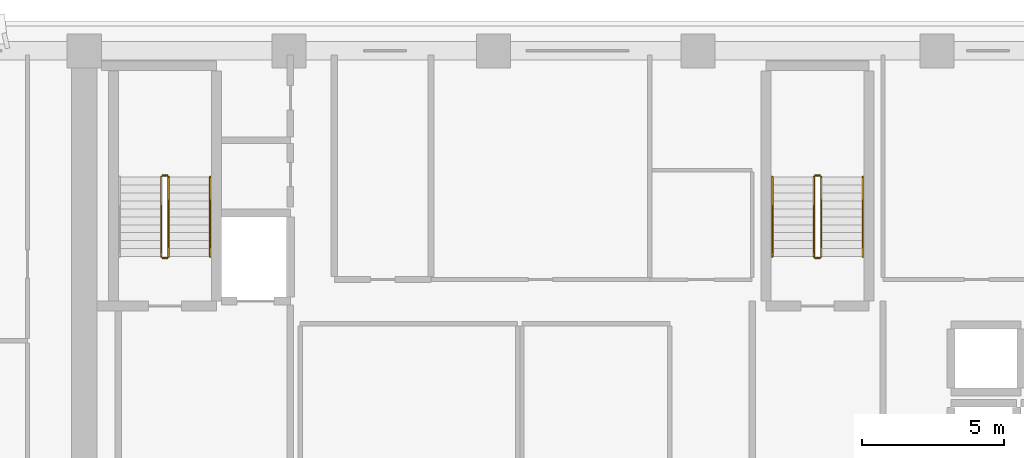
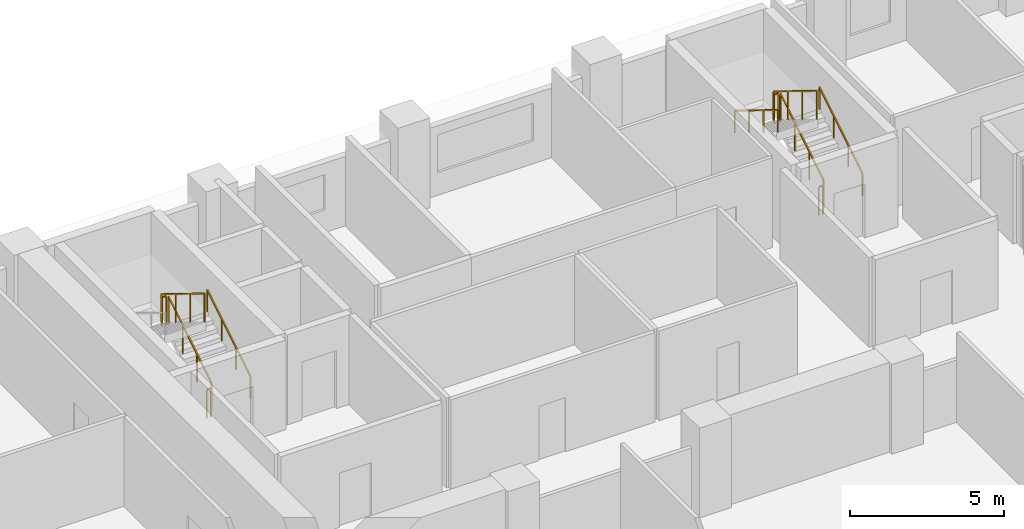
# One storey, part 13 of 15: 11 railings.
"""IFC4 building model written with IfcOpenShell, lengths in metres."""

from ifc_helpers import new_model, si_unit, direction, frame, origin, origin_2d, place, context, subcontext, project, spatial, rectangle, extrude, material, type_object, element, save


model = new_model("IFC4")

# Units and contexts
model_context = context("Model", 3, precision=1e-05, world=origin(), true_north=direction((0.0, 1.0)))
body_context = subcontext(model_context, "Body", "Model", "MODEL_VIEW")
ifc_project = project(units=[si_unit("LENGTHUNIT", "METRE"), si_unit("AREAUNIT", "SQUARE_METRE"), si_unit("VOLUMEUNIT", "CUBIC_METRE"), si_unit("PLANEANGLEUNIT", "RADIAN"), si_unit("MASSUNIT", "GRAM", prefix="KILO")], contexts=[model_context])

# Site, building, storey
site_placement = place(None, origin())
site = spatial("IfcSite", under=ifc_project, at=site_placement, CompositionType="ELEMENT")
building_placement = place(site_placement, origin())
building = spatial("IfcBuilding", under=site, at=building_placement, Name="Kaelvorn Grand Hotel", CompositionType="ELEMENT")
storey_placement = place(building_placement, frame((0.0, 0.0, 139.14990234375)))
storey = spatial("IfcBuildingStorey", under=building, at=storey_placement, Name="L33", CompositionType="ELEMENT", Elevation=139.14990234375)

# Railings
ifc_material = material(Name="Stainless Steel", Category="steel")
railing_type_1 = type_object("IfcRailingType", Name="RL-HANDRAIL-900", PredefinedType="HANDRAIL", material=ifc_material)
for number, where, name in (
    (1, (20.6298828125, 41.760009765625, 0.1728515625), "L33 ST1 stair handrail 1"),
    (2, (43.590087890625, 41.760009765625, 0.1728515625), "L33 ST2 stair handrail 1"),
):
    element("IfcRailing", number, at=place(storey_placement, frame(where)), inside=storey, type_object=railing_type_1, Name=name, PredefinedType="HANDRAIL", context=body_context, shape_type="SweptSolid", body=[
        extrude(rectangle(XDim=0.048095703125, YDim=0.048095703125, at=origin_2d()), frame((0.0, 0.0, 0.8759765625), z_axis=(0.0, 0.851089632645, 0.525020415988), x_axis=(-1.0, 0.0, 0.0)), (0.0, 0.0, 1.0), 3.2900390625),
        extrude(rectangle(XDim=0.0419921875, YDim=0.0419921875, at=origin_2d()), origin(), (0.0, 0.0, 1.0), 0.851806640625),
        extrude(rectangle(XDim=0.0419921875, YDim=0.0419921875, at=origin_2d()), frame((0.0, 0.933349609375, 0.57568359375)), (0.0, 0.0, 1.0), 0.851806640625),
        extrude(rectangle(XDim=0.0419921875, YDim=0.0419921875, at=origin_2d()), frame((0.0, 1.86669921875, 1.151611328125)), (0.0, 0.0, 1.0), 0.851806640625),
        extrude(rectangle(XDim=0.0419921875, YDim=0.0419921875, at=origin_2d()), frame((0.0, 2.800048828125, 1.727294921875)), (0.0, 0.0, 1.0), 0.851806640625),
    ])
railing_1_placement = place(storey_placement, frame((40.409912109375, 44.56005859375, 2.07275390625)))
element("IfcRailing", 3, at=railing_1_placement, inside=storey, type_object=railing_type_1, Name="L33 ST2 stair handrail 2", PredefinedType="HANDRAIL", context=body_context, shape_type="SweptSolid", body=[
    extrude(rectangle(XDim=0.048095703125, YDim=0.048095703125, at=origin_2d()), frame((0.0, 0.0, 0.8759765625), z_axis=(0.0, -0.851089632645, 0.525020415988), x_axis=(1.0, 0.0, 0.0)), (0.0, 0.0, 1.0), 3.2900390625),
    extrude(rectangle(XDim=0.0419921875, YDim=0.0419921875, at=origin_2d()), origin(), (0.0, 0.0, 1.0), 0.851806640625),
    extrude(rectangle(XDim=0.0419921875, YDim=0.0419921875, at=origin_2d()), frame((0.0, -0.933349609375, 0.57568359375)), (0.0, 0.0, 1.0), 0.851806640625),
    extrude(rectangle(XDim=0.0419921875, YDim=0.0419921875, at=origin_2d()), frame((0.0, -1.86669921875, 1.151611328125)), (0.0, 0.0, 1.0), 0.851806640625),
    extrude(rectangle(XDim=0.0419921875, YDim=0.0419921875, at=origin_2d()), frame((0.0, -2.800048828125, 1.727294921875)), (0.0, 0.0, 1.0), 0.851806640625),
])
railing_type_2 = type_object("IfcRailingType", Name="RL-STAIR-GUARD-1150", PredefinedType="BALUSTRADE", material=ifc_material)
railing_2_placement = place(storey_placement, frame((19.169921875, 41.760009765625, 0.1728515625)))
element("IfcRailing", 4, at=railing_2_placement, inside=storey, type_object=railing_type_2, Name="L33 ST1 stair guard 1", PredefinedType="BALUSTRADE", context=body_context, shape_type="SweptSolid", body=[
    extrude(rectangle(XDim=0.048095703125, YDim=0.048095703125, at=origin_2d()), frame((0.0, 0.0, 1.1259765625), z_axis=(0.0, 0.851089632645, 0.525020415988), x_axis=(-1.0, 0.0, 0.0)), (0.0, 0.0, 1.0), 3.2900390625),
    extrude(rectangle(XDim=0.0419921875, YDim=0.0419921875, at=origin_2d()), origin(), (0.0, 0.0, 1.0), 1.101806640625),
    extrude(rectangle(XDim=0.0419921875, YDim=0.0419921875, at=origin_2d()), frame((0.0, 0.933349609375, 0.57568359375)), (0.0, 0.0, 1.0), 1.101806640625),
    extrude(rectangle(XDim=0.0419921875, YDim=0.0419921875, at=origin_2d()), frame((0.0, 1.86669921875, 1.151611328125)), (0.0, 0.0, 1.0), 1.101806640625),
    extrude(rectangle(XDim=0.0419921875, YDim=0.0419921875, at=origin_2d()), frame((0.0, 2.800048828125, 1.727294921875)), (0.0, 0.0, 1.0), 1.101806640625),
])
railing_3_placement = place(storey_placement, frame((19.1201171875, 44.610107421875, 1.900146484375)))
element("IfcRailing", 5, at=railing_3_placement, inside=storey, type_object=railing_type_2, Name="L33 ST1 stair guard 2", PredefinedType="BALUSTRADE", context=body_context, shape_type="SweptSolid", body=[
    extrude(rectangle(XDim=0.048095703125, YDim=0.048095703125, at=origin_2d()), frame((0.0, 0.0, 1.1259765625), z_axis=(-1.0, 0.0, 0.0), x_axis=(0.0, -1.0, 0.0)), (0.0, 0.0, 1.0), 0.16015625),
    extrude(rectangle(XDim=0.0419921875, YDim=0.0419921875, at=origin_2d()), origin(), (0.0, 0.0, 1.0), 1.101806640625),
    extrude(rectangle(XDim=0.0419921875, YDim=0.0419921875, at=origin_2d()), frame((-0.16015625, 0.0, 0.0)), (0.0, 0.0, 1.0), 1.101806640625),
])
railing_4_placement = place(storey_placement, frame((18.909912109375, 44.56005859375, 2.07275390625)))
element("IfcRailing", 6, at=railing_4_placement, inside=storey, type_object=railing_type_2, Name="L33 ST1 stair guard 3", PredefinedType="BALUSTRADE", context=body_context, shape_type="SweptSolid", body=[
    extrude(rectangle(XDim=0.048095703125, YDim=0.048095703125, at=origin_2d()), frame((0.0, 0.0, 1.1259765625), z_axis=(0.0, -0.851089632645, 0.525020415988), x_axis=(1.0, 0.0, 0.0)), (0.0, 0.0, 1.0), 3.2900390625),
    extrude(rectangle(XDim=0.0419921875, YDim=0.0419921875, at=origin_2d()), origin(), (0.0, 0.0, 1.0), 1.101806640625),
    extrude(rectangle(XDim=0.0419921875, YDim=0.0419921875, at=origin_2d()), frame((0.0, -0.933349609375, 0.57568359375)), (0.0, 0.0, 1.0), 1.101806640625),
    extrude(rectangle(XDim=0.0419921875, YDim=0.0419921875, at=origin_2d()), frame((0.0, -1.86669921875, 1.151611328125)), (0.0, 0.0, 1.0), 1.101806640625),
    extrude(rectangle(XDim=0.0419921875, YDim=0.0419921875, at=origin_2d()), frame((0.0, -2.800048828125, 1.727294921875)), (0.0, 0.0, 1.0), 1.101806640625),
])
railing_5_placement = place(storey_placement, frame((19.1201171875, 41.7099609375, 0.0)))
element("IfcRailing", 7, at=railing_5_placement, inside=storey, type_object=railing_type_2, Name="L33 ST1 stair guard 4", PredefinedType="BALUSTRADE", context=body_context, shape_type="SweptSolid", body=[
    extrude(rectangle(XDim=0.048095703125, YDim=0.048095703125, at=origin_2d()), frame((0.0, 0.0, 1.1259765625), z_axis=(-1.0, 0.0, 0.0), x_axis=(0.0, -1.0, 0.0)), (0.0, 0.0, 1.0), 0.16015625),
    extrude(rectangle(XDim=0.0419921875, YDim=0.0419921875, at=origin_2d()), origin(), (0.0, 0.0, 1.0), 1.101806640625),
    extrude(rectangle(XDim=0.0419921875, YDim=0.0419921875, at=origin_2d()), frame((-0.16015625, 0.0, 0.0)), (0.0, 0.0, 1.0), 1.101806640625),
])
railing_6_placement = place(storey_placement, frame((42.1298828125, 41.760009765625, 0.1728515625)))
element("IfcRailing", 8, at=railing_6_placement, inside=storey, type_object=railing_type_2, Name="L33 ST2 stair guard 1", PredefinedType="BALUSTRADE", context=body_context, shape_type="SweptSolid", body=[
    extrude(rectangle(XDim=0.048095703125, YDim=0.048095703125, at=origin_2d()), frame((0.0, 0.0, 1.1259765625), z_axis=(0.0, 0.851089632645, 0.525020415988), x_axis=(-1.0, 0.0, 0.0)), (0.0, 0.0, 1.0), 3.2900390625),
    extrude(rectangle(XDim=0.0419921875, YDim=0.0419921875, at=origin_2d()), origin(), (0.0, 0.0, 1.0), 1.101806640625),
    extrude(rectangle(XDim=0.0419921875, YDim=0.0419921875, at=origin_2d()), frame((0.0, 0.933349609375, 0.57568359375)), (0.0, 0.0, 1.0), 1.101806640625),
    extrude(rectangle(XDim=0.0419921875, YDim=0.0419921875, at=origin_2d()), frame((0.0, 1.86669921875, 1.151611328125)), (0.0, 0.0, 1.0), 1.101806640625),
    extrude(rectangle(XDim=0.0419921875, YDim=0.0419921875, at=origin_2d()), frame((0.0, 2.800048828125, 1.727294921875)), (0.0, 0.0, 1.0), 1.101806640625),
])
railing_7_placement = place(storey_placement, frame((42.080078125, 44.610107421875, 1.900146484375)))
element("IfcRailing", 9, at=railing_7_placement, inside=storey, type_object=railing_type_2, Name="L33 ST2 stair guard 2", PredefinedType="BALUSTRADE", context=body_context, shape_type="SweptSolid", body=[
    extrude(rectangle(XDim=0.048095703125, YDim=0.048095703125, at=origin_2d()), frame((0.0, 0.0, 1.1259765625), z_axis=(-1.0, 0.0, 0.0), x_axis=(0.0, -1.0, 0.0)), (0.0, 0.0, 1.0), 0.16015625),
    extrude(rectangle(XDim=0.0419921875, YDim=0.0419921875, at=origin_2d()), origin(), (0.0, 0.0, 1.0), 1.101806640625),
    extrude(rectangle(XDim=0.0419921875, YDim=0.0419921875, at=origin_2d()), frame((-0.16015625, 0.0, 0.0)), (0.0, 0.0, 1.0), 1.101806640625),
])
railing_8_placement = place(storey_placement, frame((41.8701171875, 44.56005859375, 2.07275390625)))
element("IfcRailing", 10, at=railing_8_placement, inside=storey, type_object=railing_type_2, Name="L33 ST2 stair guard 3", PredefinedType="BALUSTRADE", context=body_context, shape_type="SweptSolid", body=[
    extrude(rectangle(XDim=0.048095703125, YDim=0.048095703125, at=origin_2d()), frame((0.0, 0.0, 1.1259765625), z_axis=(0.0, -0.851089632645, 0.525020415988), x_axis=(1.0, 0.0, 0.0)), (0.0, 0.0, 1.0), 3.2900390625),
    extrude(rectangle(XDim=0.0419921875, YDim=0.0419921875, at=origin_2d()), origin(), (0.0, 0.0, 1.0), 1.101806640625),
    extrude(rectangle(XDim=0.0419921875, YDim=0.0419921875, at=origin_2d()), frame((0.0, -0.933349609375, 0.57568359375)), (0.0, 0.0, 1.0), 1.101806640625),
    extrude(rectangle(XDim=0.0419921875, YDim=0.0419921875, at=origin_2d()), frame((0.0, -1.86669921875, 1.151611328125)), (0.0, 0.0, 1.0), 1.101806640625),
    extrude(rectangle(XDim=0.0419921875, YDim=0.0419921875, at=origin_2d()), frame((0.0, -2.800048828125, 1.727294921875)), (0.0, 0.0, 1.0), 1.101806640625),
])
railing_9_placement = place(storey_placement, frame((42.080078125, 41.7099609375, 0.0)))
element("IfcRailing", 11, at=railing_9_placement, inside=storey, type_object=railing_type_2, Name="L33 ST2 stair guard 4", PredefinedType="BALUSTRADE", context=body_context, shape_type="SweptSolid", body=[
    extrude(rectangle(XDim=0.048095703125, YDim=0.048095703125, at=origin_2d()), frame((0.0, 0.0, 1.1259765625), z_axis=(-1.0, 0.0, 0.0), x_axis=(0.0, -1.0, 0.0)), (0.0, 0.0, 1.0), 0.16015625),
    extrude(rectangle(XDim=0.0419921875, YDim=0.0419921875, at=origin_2d()), origin(), (0.0, 0.0, 1.0), 1.101806640625),
    extrude(rectangle(XDim=0.0419921875, YDim=0.0419921875, at=origin_2d()), frame((-0.16015625, 0.0, 0.0)), (0.0, 0.0, 1.0), 1.101806640625),
])

save(model, "model.ifc")
